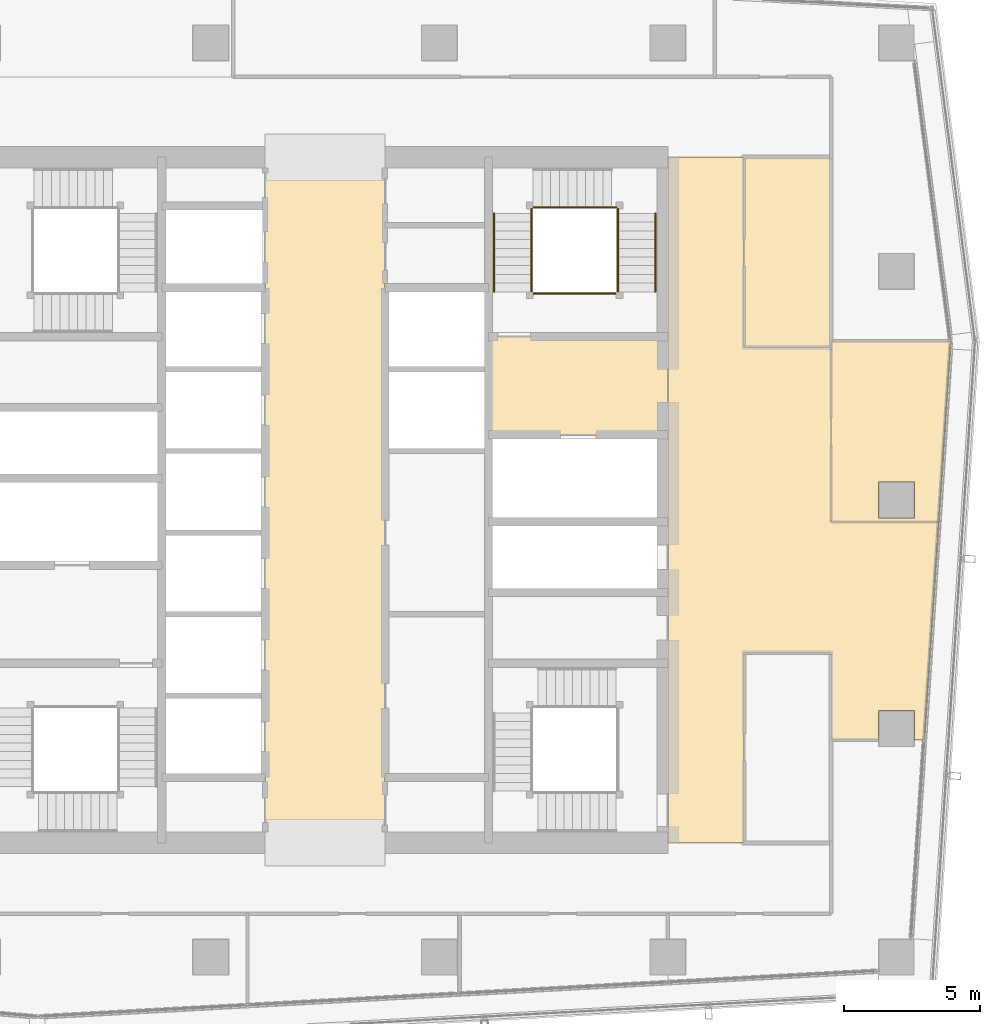
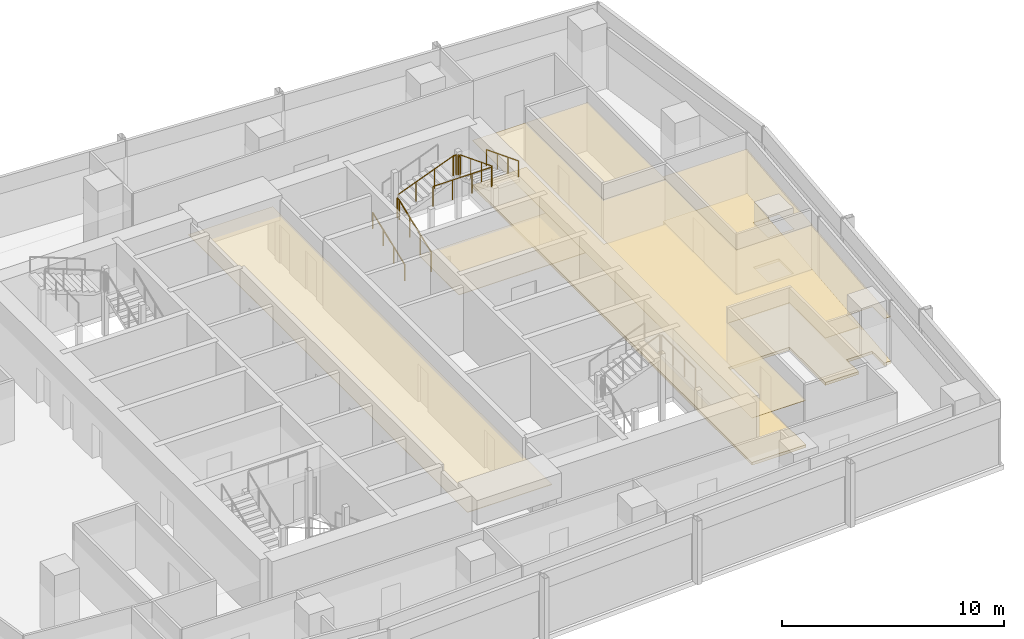
# One storey, part 29 of 30: 9 railings, 7 coverings.
"""IFC4 building model written with IfcOpenShell, lengths in metres."""

from ifc_helpers import new_model, si_unit, direction, frame, origin, origin_2d, place, context, subcontext, project, spatial, polyline, circle, outline, extrude, material, layer, layer_set, type_object, element, save


model = new_model("IFC4")

# Units and contexts
model_context = context("Model", 3, precision=1e-05, world=origin(), true_north=direction((0.0, 1.0)))
body_context = subcontext(model_context, "Body", "Model", "MODEL_VIEW")
ifc_project = project(units=[si_unit("LENGTHUNIT", "METRE"), si_unit("AREAUNIT", "SQUARE_METRE"), si_unit("VOLUMEUNIT", "CUBIC_METRE"), si_unit("PLANEANGLEUNIT", "RADIAN"), si_unit("MASSUNIT", "GRAM", prefix="KILO")], contexts=[model_context])

# Site, building, storey
site_placement = place(None, origin())
site = spatial("IfcSite", under=ifc_project, at=site_placement, CompositionType="ELEMENT")
building_placement = place(site_placement, origin())
building = spatial("IfcBuilding", under=site, at=building_placement, Name="Rekha Terrace Tower", CompositionType="ELEMENT")
storey_placement = place(building_placement, frame((0.0, 0.0, 272.60009765625)))
storey = spatial("IfcBuildingStorey", under=building, at=storey_placement, Name="L69", CompositionType="ELEMENT", Elevation=272.60009765625)

# Coverings
ifc_material_1 = material(Name="Mineral fibre tile in exposed grid", Category="finish")
ifc_layer_1 = layer(ifc_material_1, 0.02001953125)
ifc_layer_set_1 = layer_set([ifc_layer_1], Name="Mineral fibre tile in exposed grid")
covering_type_1 = type_object("IfcCoveringType", Name="CL1 600x1200 office grid ceiling", PredefinedType="CEILING", material=ifc_layer_set_1)
covering_1_placement = place(storey_placement, frame((0.0, 0.0, 2.579833984375)))
element("IfcCovering", 1, at=covering_1_placement, inside=storey, type_object=covering_type_1, Name="Ceiling L69-02", PredefinedType="CEILING", context=body_context, shape_type="SweptSolid", body=[
    extrude(outline(polyline([(56.39990234375, 32.7919921875), (60.345947265625, 32.7919921875), (60.787109375, 39.43896484375), (56.39990234375, 39.43896484375), (56.39990234375, 32.7919921875)]), holes=[polyline([(59.465087890625, 34.264892578125), (59.465087890625, 32.93505859375), (58.135009765625, 32.93505859375), (58.135009765625, 34.264892578125), (59.465087890625, 34.264892578125)])]), origin(), (0.0, 0.0, 1.0), 0.02001953125),
])
covering_2_placement = place(storey_placement, frame((0.0, 0.0, 2.579833984375)))
element("IfcCovering", 2, at=covering_2_placement, inside=storey, type_object=covering_type_1, Name="Ceiling L69-O2b", PredefinedType="CEILING", context=body_context, shape_type="SweptSolid", body=[
    extrude(outline(polyline([(50.39990234375, 21.0), (53.199951171875, 21.0), (53.199951171875, 28.0), (56.39990234375, 28.0), (56.39990234375, 24.785888671875), (58.135009765625, 24.785888671875), (58.135009765625, 25.864990234375), (59.465087890625, 25.864990234375), (59.465087890625, 24.785888671875), (59.81396484375, 24.785888671875), (60.300048828125, 32.095947265625), (60.345947265625, 32.7919921875), (56.39990234375, 32.7919921875), (56.39990234375, 39.199951171875), (53.199951171875, 39.199951171875), (53.199951171875, 46.199951171875), (50.39990234375, 46.199951171875), (50.39990234375, 21.0)])), origin(), (0.0, 0.0, 1.0), 0.02001953125),
])
ifc_material_2 = material(Name="Fibre cement board", Category="finish")
ifc_layer_2 = layer(ifc_material_2, 0.014892578125)
ifc_layer_set_2 = layer_set([ifc_layer_2], Name="Fibre cement board")
covering_type_2 = type_object("IfcCoveringType", Name="CL2 moisture-resistant board ceiling", PredefinedType="CEILING", material=ifc_layer_set_2)
covering_3_placement = place(storey_placement, frame((0.0, 0.0, 2.5849609375)))
element("IfcCovering", 3, at=covering_3_placement, inside=storey, type_object=covering_type_2, Name="Ceiling L69-WCF", PredefinedType="CEILING", context=body_context, shape_type="SweptSolid", body=[
    extrude(outline(polyline([(56.39990234375, 46.199951171875), (53.199951171875, 46.199951171875), (53.199951171875, 39.199951171875), (56.39990234375, 39.199951171875), (56.39990234375, 46.199951171875)])), origin(), (0.0, 0.0, 1.0), 0.014892578125),
])
ifc_material_3 = material(Name="Powder-coated aluminium pan", Category="aluminium")
ifc_layer_3 = layer(ifc_material_3, 0.030029296875)
ifc_layer_set_3 = layer_set([ifc_layer_3], Name="Powder-coated aluminium pan")
covering_type_3 = type_object("IfcCoveringType", Name="CL3 300x1200 metal pan ceiling", PredefinedType="CEILING", material=ifc_layer_set_3)
covering_4_placement = place(storey_placement, frame((0.0, 0.0, 2.56982421875)))
element("IfcCovering", 4, at=covering_4_placement, inside=storey, type_object=covering_type_3, Name="Ceiling L69-LOBBY", PredefinedType="CEILING", context=body_context, shape_type="SweptSolid", body=[
    extrude(outline(polyline([(40.0, 46.199951171875), (35.60009765625, 46.199951171875), (35.60009765625, 21.0), (40.0, 21.0), (40.0, 46.199951171875)])), origin(), (0.0, 0.0, 1.0), 0.030029296875),
])
covering_5_placement = place(storey_placement, frame((0.0, 0.0, 2.56982421875)))
element("IfcCovering", 5, at=covering_5_placement, inside=storey, type_object=covering_type_3, Name="Ceiling L69-FLB2", PredefinedType="CEILING", context=body_context, shape_type="SweptSolid", body=[
    extrude(outline(polyline([(50.39990234375, 39.60009765625), (43.800048828125, 39.60009765625), (43.800048828125, 36.0), (50.39990234375, 36.0), (50.39990234375, 39.60009765625)])), origin(), (0.0, 0.0, 1.0), 0.030029296875),
])

# Railings
ifc_material_4 = material(Name="Stainless steel balustrade", Category="steel")
railing_type_1 = type_object("IfcRailingType", Name="GR1 1100 stair guard", PredefinedType="GUARDRAIL", material=ifc_material_4)
railing_1_placement = place(storey_placement, frame((45.389892578125, 41.25, 0.125)))
element("IfcRailing", 6, at=railing_1_placement, inside=storey, type_object=railing_type_1, Name="Guard ST2 L69 flight 1", PredefinedType="GUARDRAIL", context=body_context, shape_type="SweptSolid", body=[
    extrude(circle(Radius=0.02392578125, at=origin_2d()), frame((0.0, 0.0, 1.076171875), z_axis=(0.0, 0.931452331594, 0.363863372667), x_axis=(-1.0, 0.0, 0.0)), (0.0, 0.0, 1.0), 3.091796875),
    extrude(circle(Radius=0.02099609375, at=origin_2d()), origin(), (0.0, 0.0, 1.0), 1.052001953125),
    extrude(circle(Radius=0.02099609375, at=origin_2d()), frame((0.0, 0.9599609375, 0.375)), (0.0, 0.0, 1.0), 1.052001953125),
    extrude(circle(Radius=0.02099609375, at=origin_2d()), frame((0.0, 1.919921875, 0.75)), (0.0, 0.0, 1.0), 1.052001953125),
    extrude(circle(Radius=0.02099609375, at=origin_2d()), frame((0.0, 2.8798828125, 1.125)), (0.0, 0.0, 1.0), 1.052001953125),
])
railing_2_placement = place(storey_placement, frame((45.449951171875, 44.360107421875, 1.375)))
element("IfcRailing", 7, at=railing_2_placement, inside=storey, type_object=railing_type_1, Name="Guard ST2 L69 flight 2", PredefinedType="GUARDRAIL", context=body_context, shape_type="SweptSolid", body=[
    extrude(circle(Radius=0.02392578125, at=origin_2d()), frame((0.0, 0.0, 1.076171875), z_axis=(0.931462784923, 0.0, 0.363836612098), x_axis=(0.0, 1.0, 0.0)), (0.0, 0.0, 1.0), 3.092041015625),
    extrude(circle(Radius=0.02099609375, at=origin_2d()), origin(), (0.0, 0.0, 1.0), 1.052001953125),
    extrude(circle(Radius=0.02099609375, at=origin_2d()), frame((0.9599609375, 0.0, 0.375)), (0.0, 0.0, 1.0), 1.052001953125),
    extrude(circle(Radius=0.02099609375, at=origin_2d()), frame((1.920166015625, 0.0, 0.75)), (0.0, 0.0, 1.0), 1.052001953125),
    extrude(circle(Radius=0.02099609375, at=origin_2d()), frame((2.880126953125, 0.0, 1.125)), (0.0, 0.0, 1.0), 1.052001953125),
])
railing_3_placement = place(storey_placement, frame((48.56005859375, 44.1298828125, 2.625)))
element("IfcRailing", 8, at=railing_3_placement, inside=storey, type_object=railing_type_1, Name="Guard ST2 L69 flight 3", PredefinedType="GUARDRAIL", context=body_context, shape_type="SweptSolid", body=[
    extrude(circle(Radius=0.02392578125, at=origin_2d()), frame((0.0, 0.0, 1.076171875), z_axis=(0.0, -0.931452331594, 0.363863372667), x_axis=(1.0, 0.0, 0.0)), (0.0, 0.0, 1.0), 3.091796875),
    extrude(circle(Radius=0.02099609375, at=origin_2d()), origin(), (0.0, 0.0, 1.0), 1.052001953125),
    extrude(circle(Radius=0.02099609375, at=origin_2d()), frame((0.0, -0.9599609375, 0.375)), (0.0, 0.0, 1.0), 1.052001953125),
    extrude(circle(Radius=0.02099609375, at=origin_2d()), frame((0.0, -1.919921875, 0.75)), (0.0, 0.0, 1.0), 1.052001953125),
    extrude(circle(Radius=0.02099609375, at=origin_2d()), frame((0.0, -2.8798828125, 1.125)), (0.0, 0.0, 1.0), 1.052001953125),
])
railing_4_placement = place(storey_placement, frame((45.389892578125, 44.1298828125, 1.25)))
element("IfcRailing", 9, at=railing_4_placement, inside=storey, type_object=railing_type_1, Name="Guard ST2 L69 landing 1", PredefinedType="GUARDRAIL", context=body_context, shape_type="SweptSolid", body=[
    extrude(circle(Radius=0.02392578125, at=origin_2d()), frame((0.0, 0.0, 1.076171875), z_axis=(0.0, 1.0, 0.0), x_axis=(-1.0, 0.0, 0.0)), (0.0, 0.0, 1.0), 0.170166015625),
    extrude(circle(Radius=0.02099609375, at=origin_2d()), origin(), (0.0, 0.0, 1.0), 1.052001953125),
    extrude(circle(Radius=0.02099609375, at=origin_2d()), frame((0.0, 0.170166015625, 0.0)), (0.0, 0.0, 1.0), 1.052001953125),
])
railing_5_placement = place(storey_placement, frame((48.330078125, 44.360107421875, 2.5)))
element("IfcRailing", 10, at=railing_5_placement, inside=storey, type_object=railing_type_1, Name="Guard ST2 L69 landing 2", PredefinedType="GUARDRAIL", context=body_context, shape_type="SweptSolid", body=[
    extrude(circle(Radius=0.02392578125, at=origin_2d()), frame((0.0, 0.0, 1.076171875), z_axis=(1.0, 0.0, 0.0), x_axis=(0.0, 1.0, 0.0)), (0.0, 0.0, 1.0), 0.169921875),
    extrude(circle(Radius=0.02099609375, at=origin_2d()), origin(), (0.0, 0.0, 1.0), 1.052001953125),
    extrude(circle(Radius=0.02099609375, at=origin_2d()), frame((0.169921875, 0.0, 0.0)), (0.0, 0.0, 1.0), 1.052001953125),
])
railing_6_placement = place(storey_placement, frame((48.56005859375, 44.1298828125, 2.5)))
element("IfcRailing", 11, at=railing_6_placement, inside=storey, type_object=railing_type_1, Name="Guard ST2 L69 landing 3", PredefinedType="GUARDRAIL", context=body_context, shape_type="SweptSolid", body=[
    extrude(circle(Radius=0.02392578125, at=origin_2d()), frame((0.0, 0.0, 1.076171875), z_axis=(0.0, 1.0, 0.0), x_axis=(-1.0, 0.0, 0.0)), (0.0, 0.0, 1.0), 0.170166015625),
    extrude(circle(Radius=0.02099609375, at=origin_2d()), origin(), (0.0, 0.0, 1.0), 1.052001953125),
    extrude(circle(Radius=0.02099609375, at=origin_2d()), frame((0.0, 0.170166015625, 0.0)), (0.0, 0.0, 1.0), 1.052001953125),
])
railing_7_placement = place(storey_placement, frame((45.449951171875, 41.18994140625, 3.75)))
element("IfcRailing", 12, at=railing_7_placement, inside=storey, type_object=railing_type_1, Name="Guard ST2 L69 landing 4", PredefinedType="GUARDRAIL", context=body_context, shape_type="SweptSolid", body=[
    extrude(circle(Radius=0.02392578125, at=origin_2d()), frame((0.0, 0.0, 1.076171875), z_axis=(1.0, 0.0, 0.0), x_axis=(0.0, 1.0, 0.0)), (0.0, 0.0, 1.0), 3.050048828125),
    extrude(circle(Radius=0.02099609375, at=origin_2d()), origin(), (0.0, 0.0, 1.0), 1.052001953125),
    extrude(circle(Radius=0.02099609375, at=origin_2d()), frame((1.0166015625, 0.0, 0.0)), (0.0, 0.0, 1.0), 1.052001953125),
    extrude(circle(Radius=0.02099609375, at=origin_2d()), frame((2.033447265625, 0.0, 0.0)), (0.0, 0.0, 1.0), 1.052001953125),
    extrude(circle(Radius=0.02099609375, at=origin_2d()), frame((3.050048828125, 0.0, 0.0)), (0.0, 0.0, 1.0), 1.052001953125),
])
ifc_material_5 = material(Name="Stainless steel tube", Category="steel")
railing_type_2 = type_object("IfcRailingType", Name="HR1 900 stair handrail", PredefinedType="HANDRAIL", material=ifc_material_5)
railing_8_placement = place(storey_placement, frame((44.010009765625, 41.25, 0.125)))
element("IfcRailing", 13, at=railing_8_placement, inside=storey, type_object=railing_type_2, Name="Handrail ST2 L69 flight 1", PredefinedType="HANDRAIL", context=body_context, shape_type="SweptSolid", body=[
    extrude(circle(Radius=0.02392578125, at=origin_2d()), frame((0.0, 0.0, 0.8759765625), z_axis=(0.0, 0.931452331594, 0.363863372667), x_axis=(-1.0, 0.0, 0.0)), (0.0, 0.0, 1.0), 3.091796875),
    extrude(circle(Radius=0.02099609375, at=origin_2d()), origin(), (0.0, 0.0, 1.0), 0.851806640625),
    extrude(circle(Radius=0.02099609375, at=origin_2d()), frame((0.0, 0.9599609375, 0.375)), (0.0, 0.0, 1.0), 0.851806640625),
    extrude(circle(Radius=0.02099609375, at=origin_2d()), frame((0.0, 1.919921875, 0.75)), (0.0, 0.0, 1.0), 0.851806640625),
    extrude(circle(Radius=0.02099609375, at=origin_2d()), frame((0.0, 2.8798828125, 1.125)), (0.0, 0.0, 1.0), 0.851806640625),
])
railing_9_placement = place(storey_placement, frame((49.93994140625, 44.1298828125, 2.625)))
element("IfcRailing", 14, at=railing_9_placement, inside=storey, type_object=railing_type_2, Name="Handrail ST2 L69 flight 3", PredefinedType="HANDRAIL", context=body_context, shape_type="SweptSolid", body=[
    extrude(circle(Radius=0.02392578125, at=origin_2d()), frame((0.0, 0.0, 0.8759765625), z_axis=(0.0, -0.931452331594, 0.363863372667), x_axis=(1.0, 0.0, 0.0)), (0.0, 0.0, 1.0), 3.091796875),
    extrude(circle(Radius=0.02099609375, at=origin_2d()), origin(), (0.0, 0.0, 1.0), 0.851806640625),
    extrude(circle(Radius=0.02099609375, at=origin_2d()), frame((0.0, -0.9599609375, 0.375)), (0.0, 0.0, 1.0), 0.851806640625),
    extrude(circle(Radius=0.02099609375, at=origin_2d()), frame((0.0, -1.919921875, 0.75)), (0.0, 0.0, 1.0), 0.851806640625),
    extrude(circle(Radius=0.02099609375, at=origin_2d()), frame((0.0, -2.8798828125, 1.125)), (0.0, 0.0, 1.0), 0.851806640625),
])

# Coverings
ifc_material_6 = material(Name="Calcium sulphate panels on steel pedestals", Category="steel")
ifc_layer_4 = layer(ifc_material_6, 0.14990234375)
ifc_layer_set_4 = layer_set([ifc_layer_4], Name="Calcium sulphate panels on steel pedestals")
covering_type_4 = type_object("IfcCoveringType", Name="RF1 150 raised access floor", PredefinedType="FLOORING", material=ifc_layer_set_4)
covering_6_placement = place(storey_placement, origin())
element("IfcCovering", 15, at=covering_6_placement, inside=storey, type_object=covering_type_4, Name="Raised floor L69-02", PredefinedType="FLOORING", context=body_context, shape_type="SweptSolid", body=[
    extrude(outline(polyline([(56.39990234375, 32.7919921875), (60.345947265625, 32.7919921875), (60.787109375, 39.43896484375), (56.39990234375, 39.43896484375), (56.39990234375, 32.7919921875)]), holes=[polyline([(59.465087890625, 34.264892578125), (59.465087890625, 32.93505859375), (58.135009765625, 32.93505859375), (58.135009765625, 34.264892578125), (59.465087890625, 34.264892578125)])]), origin(), (0.0, 0.0, 1.0), 0.14990234375),
])
covering_7_placement = place(storey_placement, origin())
element("IfcCovering", 16, at=covering_7_placement, inside=storey, type_object=covering_type_4, Name="Raised floor L69-O2b", PredefinedType="FLOORING", context=body_context, shape_type="SweptSolid", body=[
    extrude(outline(polyline([(50.39990234375, 21.0), (53.199951171875, 21.0), (53.199951171875, 28.0), (56.39990234375, 28.0), (56.39990234375, 24.785888671875), (58.135009765625, 24.785888671875), (58.135009765625, 25.864990234375), (59.465087890625, 25.864990234375), (59.465087890625, 24.785888671875), (59.81396484375, 24.785888671875), (60.300048828125, 32.095947265625), (60.345947265625, 32.7919921875), (56.39990234375, 32.7919921875), (56.39990234375, 39.199951171875), (53.199951171875, 39.199951171875), (53.199951171875, 46.199951171875), (50.39990234375, 46.199951171875), (50.39990234375, 21.0)])), origin(), (0.0, 0.0, 1.0), 0.14990234375),
])

save(model, "model.ifc")
